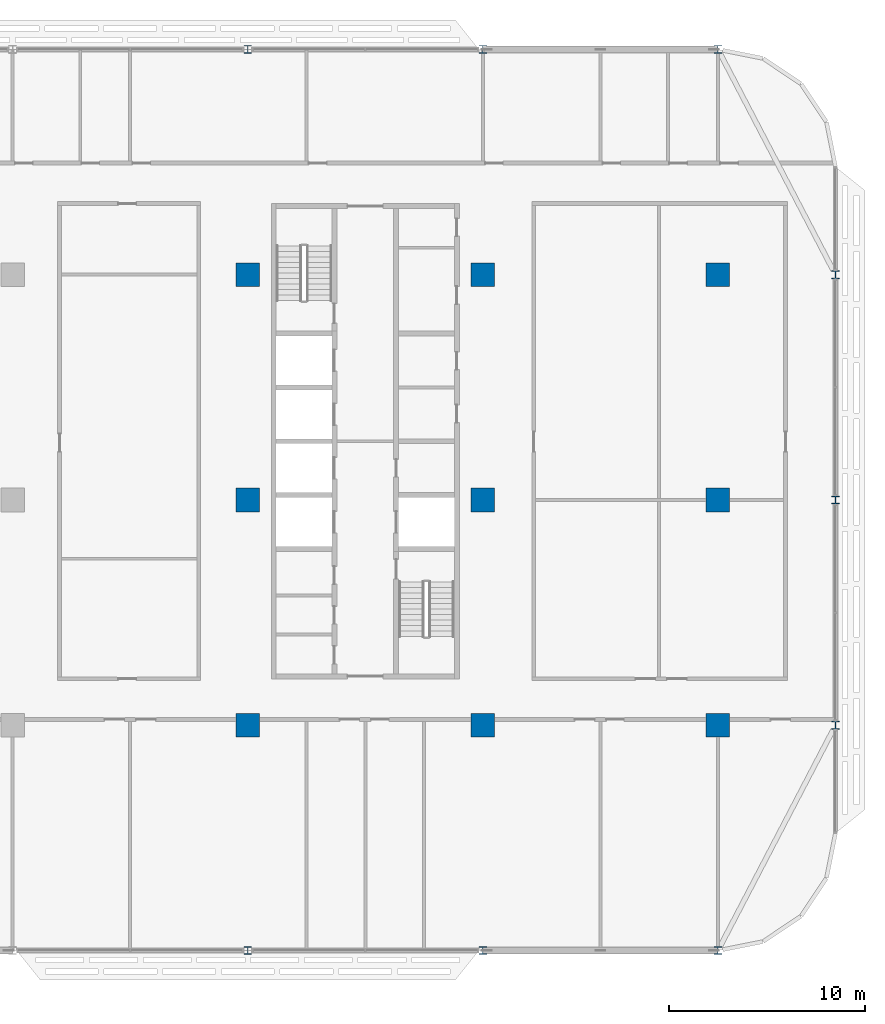
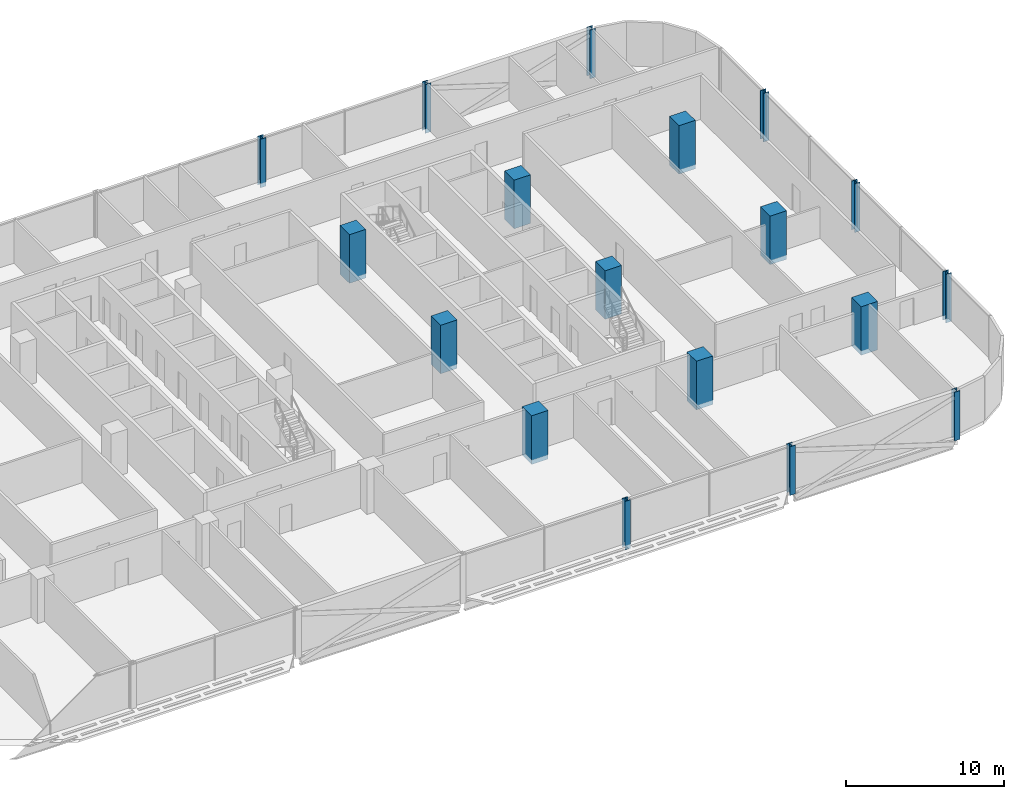
# One storey, part 2 of 28: 18 columns.
"""IFC4 building model written with IfcOpenShell, lengths in metres."""

from ifc_helpers import new_model, si_unit, direction, frame, origin, origin_2d, place, context, subcontext, project, spatial, rectangle, i_section, extrude, material, material_profile, profile_set, type_object, element, save


model = new_model("IFC4")

# Units and contexts
model_context = context("Model", 3, precision=1e-05, world=origin(), true_north=direction((0.0, 1.0)))
body_context = subcontext(model_context, "Body", "Model", "MODEL_VIEW")
ifc_project = project(units=[si_unit("LENGTHUNIT", "METRE"), si_unit("AREAUNIT", "SQUARE_METRE"), si_unit("VOLUMEUNIT", "CUBIC_METRE"), si_unit("PLANEANGLEUNIT", "RADIAN"), si_unit("MASSUNIT", "GRAM", prefix="KILO")], contexts=[model_context])

# Site, building, storey
site_placement = place(None, origin())
site = spatial("IfcSite", under=ifc_project, at=site_placement, CompositionType="ELEMENT")
building_placement = place(site_placement, origin())
building = spatial("IfcBuilding", under=site, at=building_placement, Name="Mahtab Terrace Research Tower", CompositionType="ELEMENT")
storey_placement = place(building_placement, frame((0.0, 0.0, 185.800048828125)))
storey = spatial("IfcBuildingStorey", under=building, at=storey_placement, Name="L44", CompositionType="ELEMENT", Elevation=185.800048828125)

# Columns
ifc_material_1 = material(Name="Concrete C70/85", Category="concrete")
ifc_material_profile_1 = material_profile(ifc_material_1, rectangle(XDim=1.199951171875, YDim=1.199951171875, at=origin_2d()), Name="RC column 1200x1200")
ifc_profile_set_1 = profile_set([ifc_material_profile_1], Name="Concrete C70/85")
column_type_1 = type_object("IfcColumnType", Name="RC column 1200x1200", PredefinedType="COLUMN", material=ifc_profile_set_1)
for number, where, z_axis, x_axis, name in (
    (1, (18.0, -11.5, -0.340087890625), (0.0, 0.0, 1.0), (1.0, 0.0, 0.0), "Column RC-6A L44"),
    (2, (18.0, 0.0, -0.340087890625), (0.0, 0.0, 1.0), (1.0, 0.0, 0.0), "Column RC-6B L44"),
    (3, (18.0, 11.5, -0.340087890625), (0.0, 0.0, 1.0), (1.0, 0.0, 0.0), "Column RC-6C L44"),
    (4, (30.0, -11.5, -0.340087890625), (0.0, 0.0, 1.0), (1.0, 0.0, 0.0), "Column RC-7A L44"),
    (5, (30.0, 0.0, -0.340087890625), (0.0, 0.0, 1.0), (1.0, 0.0, 0.0), "Column RC-7B L44"),
    (6, (30.0, 11.5, -0.340087890625), (0.0, 0.0, 1.0), (1.0, 0.0, 0.0), "Column RC-7C L44"),
    (7, (42.0, -11.5, -0.340087890625), (0.0, 0.0, 1.0), (1.0, 0.0, 0.0), "Column RC-8A L44"),
    (8, (42.0, 0.0, -0.340087890625), (0.0, 0.0, 1.0), (1.0, 0.0, 0.0), "Column RC-8B L44"),
    (9, (42.0, 11.5, -0.340087890625), (0.0, 0.0, 1.0), (1.0, 0.0, 0.0), "Column RC-8C L44"),
):
    element("IfcColumn", number, at=place(storey_placement, frame(where, z_axis=z_axis, x_axis=x_axis)), inside=storey, type_object=column_type_1, Name=name, PredefinedType="COLUMN", context=body_context, shape_type="SweptSolid", body=[
        extrude(rectangle(XDim=1.199951171875, YDim=1.199951171875, at=origin_2d()), origin(), (0.0, 0.0, 1.0), 3.739990234375),
    ])
ifc_material_2 = material(Name="Steel ASTM A992 Gr 50", Category="steel")
ifc_material_profile_2 = material_profile(ifc_material_2, i_section(OverallWidth=0.406494140625, OverallDepth=0.41650390625, WebThickness=0.030029296875, FlangeThickness=0.048095703125, at=origin_2d()), Name="W14X257")
ifc_profile_set_2 = profile_set([ifc_material_profile_2], Name="Steel ASTM A992 Gr 50")
column_type_2 = type_object("IfcColumnType", Name="W14x257 column CS14257", PredefinedType="COLUMN", material=ifc_profile_set_2)
for number, where, z_axis, x_axis, name in (
    (10, (42.0, 23.0, -0.340087890625), (0.0, 0.0, 1.0), (1.0, 0.0, 0.0), "Column SC-001 L44"),
    (11, (30.0, 23.0, -0.340087890625), (0.0, 0.0, 1.0), (1.0, 0.0, 0.0), "Column SC-002 L44"),
    (12, (18.0, 23.0, -0.340087890625), (0.0, 0.0, 1.0), (1.0, 0.0, 0.0), "Column SC-003 L44"),
    (13, (18.0, -23.0, -0.340087890625), (0.0, 0.0, 1.0), (1.0, 0.0, 0.0), "Column SC-017 L44"),
    (14, (30.0, -23.0, -0.340087890625), (0.0, 0.0, 1.0), (1.0, 0.0, 0.0), "Column SC-018 L44"),
    (15, (42.0, -23.0, -0.340087890625), (0.0, 0.0, 1.0), (1.0, 0.0, 0.0), "Column SC-019 L44"),
    (16, (48.0, -11.5, -0.340087890625), (0.0, 0.0, 1.0), (1.0, 0.0, 0.0), "Column SC-020 L44"),
    (17, (48.0, 0.0, -0.340087890625), (0.0, 0.0, 1.0), (1.0, 0.0, 0.0), "Column SC-021 L44"),
    (18, (48.0, 11.5, -0.340087890625), (0.0, 0.0, 1.0), (1.0, 0.0, 0.0), "Column SC-022 L44"),
):
    element("IfcColumn", number, at=place(storey_placement, frame(where, z_axis=z_axis, x_axis=x_axis)), inside=storey, type_object=column_type_2, Name=name, PredefinedType="COLUMN", context=body_context, shape_type="SweptSolid", body=[
        extrude(i_section(OverallWidth=0.406494140625, OverallDepth=0.41650390625, WebThickness=0.030029296875, FlangeThickness=0.048095703125, at=origin_2d()), origin(), (0.0, 0.0, 1.0), 3.739990234375),
    ])

save(model, "model.ifc")
